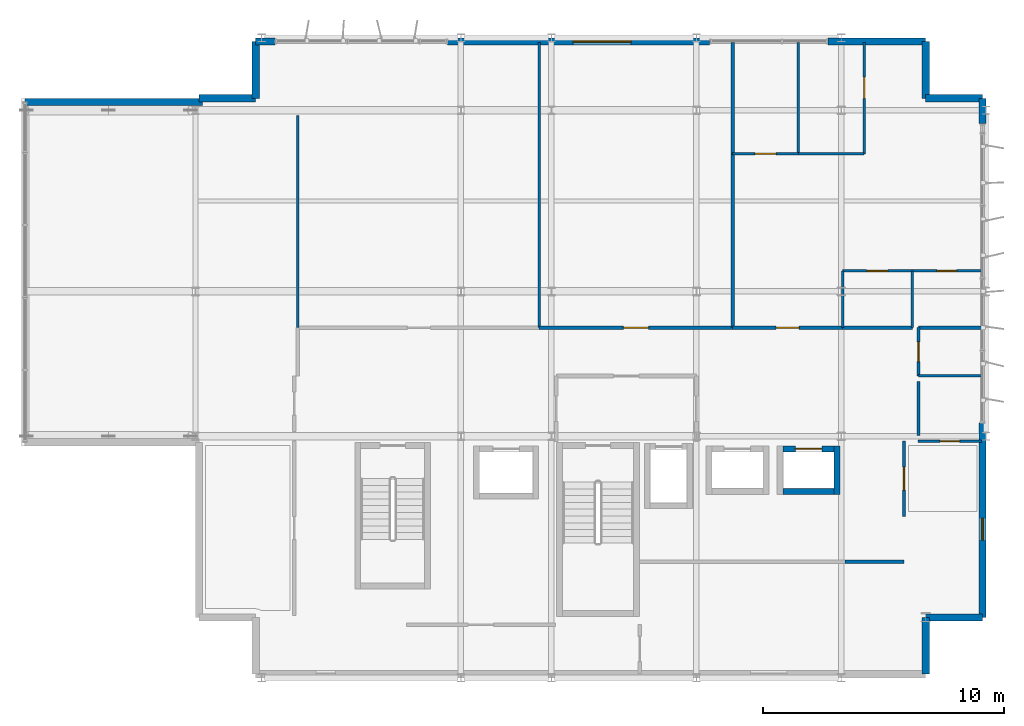
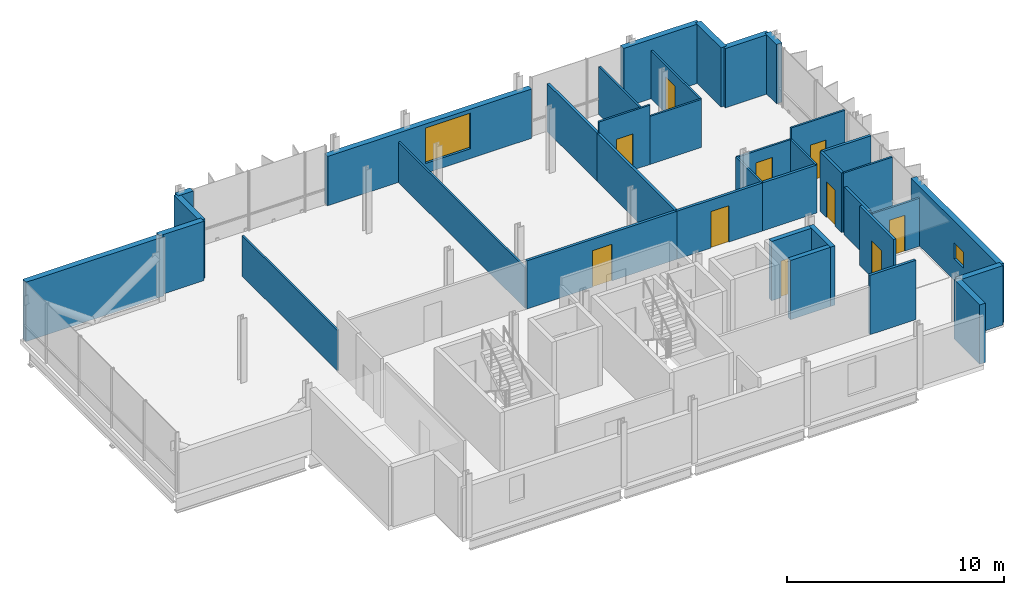
# One storey, part 15 of 18: 37 walls, 10 doors, 2 windows, 12 openings.
"""IFC4 building model written with IfcOpenShell, lengths in metres."""

import ifcopenshell
import ifcopenshell.guid

model = None  # the IFC model being written
_history = None  # IfcOwnerHistory: only IFC2X3 demands one
_inside = {}  # id of a spatial element -> (the spatial element, [elements in it])
_under = {}  # id of a project, library or spatial element -> (it, [spatial elements below it])
_declared = {}  # id of a project -> (the project, [libraries it declares])
_typed = {}  # id of a type object -> (the type object, [elements of that type])
_made_of = {}  # id of a material, layer set ... -> (it, [elements and type objects made of it])


def new_model(schema):
    """Start an empty IFC model of exactly this schema.

    Asked for "IFC4X3", IfcOpenShell would pick the latest addendum, in which some entities
    have other attributes; the version numbers below select the first issue.
    IFC2X3 requires an IfcOwnerHistory on every rooted entity: one is made here for all.
    """
    global model, _history
    if schema == "IFC4X3":
        model = ifcopenshell.file(schema_version=(4, 3, 0, 0))
    else:
        model = ifcopenshell.file(schema=schema)
    _inside.clear()
    _under.clear()
    _declared.clear()
    _typed.clear()
    _made_of.clear()
    _history = None
    if model.schema == "IFC2X3":
        org = make("IfcOrganization", Name="unknown")
        user = make(
            "IfcPersonAndOrganization",
            ThePerson=make("IfcPerson", FamilyName="unknown"),
            TheOrganization=org,
        )
        app = make(
            "IfcApplication",
            ApplicationDeveloper=org,
            Version="unknown",
            ApplicationFullName="unknown",
            ApplicationIdentifier="unknown",
        )
        _history = make(
            "IfcOwnerHistory",
            OwningUser=user,
            OwningApplication=app,
            ChangeAction="ADDED",
            CreationDate=0,
        )
    return model


def make(cls, **values):
    """One entity of the class cls with the attributes given. An attribute that is None is left unset."""
    return model.create_entity(
        cls, **{name: value for name, value in values.items() if value is not None}
    )


def rooted(cls, **values):
    """An entity with a GlobalId (a new one), such as an element, a storey or a relation."""
    return make(cls, GlobalId=ifcopenshell.guid.new(), OwnerHistory=_history, **values)


def si_unit(unit_type, name, prefix=None):
    """IfcSIUnit, for example si_unit("LENGTHUNIT", "METRE", prefix="MILLI")."""
    return make("IfcSIUnit", UnitType=unit_type, Prefix=prefix, Name=name)


def assignment(units):
    """IfcUnitAssignment: the units of a project."""
    return None if units is None else make("IfcUnitAssignment", Units=units)


def point(xyz):
    """IfcCartesianPoint."""
    return None if xyz is None else make("IfcCartesianPoint", Coordinates=xyz)


def direction(xyz):
    """IfcDirection."""
    return None if xyz is None else make("IfcDirection", DirectionRatios=xyz)


def frame(location, z_axis=None, x_axis=None):
    """IfcAxis2Placement3D, a coordinate frame: its origin and axes. An axis left out is left unset."""
    return make(
        "IfcAxis2Placement3D",
        Location=point(location),
        Axis=direction(z_axis),
        RefDirection=direction(x_axis),
    )


def frame_2d(location, x_axis=None):
    """IfcAxis2Placement2D, a coordinate frame in the plane: its origin and x axis."""
    return make(
        "IfcAxis2Placement2D", Location=point(location), RefDirection=direction(x_axis)
    )


def origin():
    """The frame at (0, 0, 0) with its axes left unset."""
    return frame((0.0, 0.0, 0.0))


def place(relative_to, where):
    """IfcLocalPlacement: puts the frame where relative to a parent placement (None: the world)."""
    return make(
        "IfcLocalPlacement", PlacementRelTo=relative_to, RelativePlacement=where
    )


def context(
    kind, dimensions, precision=None, world=None, true_north=None, identifier=None
):
    """IfcGeometricRepresentationContext, for example the 3D "Model" context."""
    return make(
        "IfcGeometricRepresentationContext",
        ContextIdentifier=identifier,
        ContextType=kind,
        CoordinateSpaceDimension=dimensions,
        Precision=precision,
        WorldCoordinateSystem=world,
        TrueNorth=true_north,
    )


def subcontext(parent, identifier, kind, view, scale=None):
    """IfcGeometricRepresentationSubContext, for example "Body" below "Model"."""
    return make(
        "IfcGeometricRepresentationSubContext",
        ContextIdentifier=identifier,
        ContextType=kind,
        ParentContext=parent,
        TargetScale=scale,
        TargetView=view,
    )


def project(units=None, contexts=None):
    """IfcProject with its units and contexts."""
    return rooted(
        "IfcProject",
        Name="project",
        RepresentationContexts=contexts,
        UnitsInContext=assignment(units),
    )


def spatial(cls, under=None, at=None, **own):
    """A site, building, storey or space (cls), placed at a placement, below another one or the project."""
    s = rooted(cls, ObjectPlacement=at, **own)
    if under is not None:
        _under.setdefault(under.id(), (under, []))[1].append(s)
    return s


def profile(cls, at=None, kind="AREA", **sizes):
    """A parametric profile (cls). Its sizes go by their IFC names, for example OverallWidth=200.0."""
    return make(cls, ProfileType=kind, Position=at, **sizes)


def rectangle(**sizes):
    """IfcRectangleProfileDef."""
    return profile("IfcRectangleProfileDef", **sizes)


def extrude(swept, where, along, depth):
    """IfcExtrudedAreaSolid: the profile swept, set in the frame where, extruded along a direction by depth."""
    return make(
        "IfcExtrudedAreaSolid",
        SweptArea=swept,
        Position=where,
        ExtrudedDirection=direction(along),
        Depth=depth,
    )


def shape(context_of_items, identifier, shape_type, items):
    """IfcShapeRepresentation: the items that make up one representation, for example the "Body"."""
    return make(
        "IfcShapeRepresentation",
        ContextOfItems=context_of_items,
        RepresentationIdentifier=identifier,
        RepresentationType=shape_type,
        Items=items,
    )


def material(Name=None, Category=None):
    """IfcMaterial."""
    return make("IfcMaterial", Name=Name, Category=Category)


def layer(
    of_material, thickness, ventilated=None, Name=None, Category=None, Priority=None
):
    """IfcMaterialLayer: one layer of a wall or slab, of a material (None: an air gap)."""
    return make(
        "IfcMaterialLayer",
        Material=of_material,
        LayerThickness=thickness,
        IsVentilated=ventilated,
        Name=Name,
        Category=Category,
        Priority=Priority,
    )


def layer_set(layers, Name=None):
    """IfcMaterialLayerSet."""
    return make("IfcMaterialLayerSet", MaterialLayers=layers, LayerSetName=Name)


def made_of(thing, what):
    """Note that an element or type object is made of a material, layer set ...; save() writes the relation."""
    if what is not None:
        _made_of.setdefault(what.id(), (what, []))[1].append(thing)
    return thing


def type_object(cls, material=None, **own):
    """A type object (cls), such as IfcWallType, which elements share."""
    return made_of(rooted(cls, **own), material)


def element(
    cls,
    number,
    at=None,
    inside=None,
    cuts=None,
    type_object=None,
    material=None,
    context=None,
    identifier="Body",
    shape_type=None,
    held_by="IfcProductDefinitionShape",
    body=None,
    shapes=None,
    **own,
):
    """One element of the class cls, such as IfcWall. Its Tag is "e" and its number.

    at: its placement. inside: the storey or other place that contains it. cuts: it is an
    opening in that element (IfcRelVoidsElement). A single representation is given by context,
    identifier, shape_type and body (its items); several are given by shapes. held_by: the class
    of the entity that holds the representations. save() writes the other relations.
    """
    e = rooted(cls, Tag="e%d" % number, ObjectPlacement=at, **own)
    if body is not None:
        shapes = [shape(context, identifier, shape_type, body)]
    if shapes is not None:
        e.Representation = make(held_by, Representations=shapes)
    if inside is not None:
        _inside.setdefault(inside.id(), (inside, []))[1].append(e)
    if cuts is not None:
        rooted(
            "IfcRelVoidsElement", RelatingBuildingElement=cuts, RelatedOpeningElement=e
        )
    if type_object is not None:
        _typed.setdefault(type_object.id(), (type_object, []))[1].append(e)
    return made_of(e, material)


def fill(opening, filler):
    """IfcRelFillsElement: the door or window that sits in an opening."""
    return rooted(
        "IfcRelFillsElement",
        RelatingOpeningElement=opening,
        RelatedBuildingElement=filler,
    )


def aggregate(whole, parts):
    """IfcRelAggregates: a whole, such as a stair, and the parts it consists of."""
    return rooted("IfcRelAggregates", RelatingObject=whole, RelatedObjects=parts)


def save(model, path):
    """Write the relations noted so far, then the file.

    IfcRelAggregates (storeys below a building ...), IfcRelContainedInSpatialStructure (elements
    in a storey), IfcRelDefinesByType, IfcRelAssociatesMaterial and IfcRelDeclares: one each for
    every whole, place, type object, material and project.
    """
    for whole, parts in _under.values():
        aggregate(whole, parts)
    for where, things in _inside.values():
        rooted(
            "IfcRelContainedInSpatialStructure",
            RelatedElements=things,
            RelatingStructure=where,
        )
    for kind, things in _typed.values():
        rooted("IfcRelDefinesByType", RelatedObjects=things, RelatingType=kind)
    for what, things in _made_of.values():
        rooted("IfcRelAssociatesMaterial", RelatedObjects=things, RelatingMaterial=what)
    for by, libraries in _declared.values():
        rooted("IfcRelDeclares", RelatingContext=by, RelatedDefinitions=libraries)
    model.write(path)


model = new_model("IFC4")

# Units and contexts
model_context = context("Model", 3, precision=1e-05, world=origin(), true_north=direction((0.0, 1.0)))
body_context = subcontext(model_context, "Body", "Model", "MODEL_VIEW")
ifc_project = project(units=[si_unit("LENGTHUNIT", "METRE"), si_unit("AREAUNIT", "SQUARE_METRE"), si_unit("VOLUMEUNIT", "CUBIC_METRE"), si_unit("PLANEANGLEUNIT", "RADIAN"), si_unit("MASSUNIT", "GRAM", prefix="KILO")], contexts=[model_context])

# Site, building, storey
site_placement = place(None, origin())
site = spatial("IfcSite", under=ifc_project, at=site_placement, CompositionType="ELEMENT")
building_placement = place(site_placement, origin())
building = spatial("IfcBuilding", under=site, at=building_placement, Name="Brevholm Reach", CompositionType="ELEMENT")
storey_placement = place(building_placement, frame((0.0, 0.0, 243.64990234375)))
storey = spatial("IfcBuildingStorey", under=building, at=storey_placement, Name="L74", CompositionType="ELEMENT", Elevation=243.64990234375)

# Walls
ifc_material_1 = material(Name="Concrete C45/55", Category="concrete")
ifc_layer_1 = layer(ifc_material_1, 0.239990234375)
ifc_layer_set_1 = layer_set([ifc_layer_1], Name="Concrete C45/55")
wall_type_1 = type_object("IfcWallType", Name="WAL-COR-240", PredefinedType="SHEAR", material=ifc_layer_set_1)
wall_1_placement = place(storey_placement, frame((53.830078125, 7.60009765625, 0.0), z_axis=(0.0, 0.0, 1.0), x_axis=(0.0, 1.0, 0.0)))
element("IfcWall", 1, at=wall_1_placement, inside=storey, type_object=wall_type_1, Name="L74 Lift PL-H2 Shaft Wall E", PredefinedType="SHEAR", context=body_context, shape_type="SweptSolid", body=[
    extrude(rectangle(XDim=2.0, YDim=0.239990234375, at=frame_2d((1.0, 0.0))), origin(), (0.0, 0.0, 1.0), 3.340087890625),
])
wall_2_placement = place(storey_placement, frame((51.590087890625, 7.719970703125, 0.0), z_axis=(0.0, 0.0, 1.0), x_axis=(1.0, 0.0, 0.0)))
element("IfcWall", 2, at=wall_2_placement, inside=storey, type_object=wall_type_1, Name="L74 Lift PL-H2 Shaft Wall S", PredefinedType="SHEAR", context=body_context, shape_type="SweptSolid", body=[
    extrude(rectangle(XDim=2.119873046875, YDim=0.239990234375, at=frame_2d((1.06005859375, 0.0))), origin(), (0.0, 0.0, 1.0), 3.340087890625),
])

# Wall, opening, door
wall_3_placement = place(storey_placement, frame((51.590087890625, 9.47998046875, 0.0), z_axis=(0.0, 0.0, 1.0), x_axis=(1.0, 0.0, 0.0)))
wall_3 = element("IfcWall", 3, at=wall_3_placement, inside=storey, type_object=wall_type_1, Name="L74 Lift PL-H2 Shaft Wall N", PredefinedType="SHEAR", context=body_context, shape_type="SweptSolid", body=[
    extrude(rectangle(XDim=2.119873046875, YDim=0.239990234375, at=frame_2d((1.06005859375, 0.0))), origin(), (0.0, 0.0, 1.0), 3.340087890625),
])
opening_1_placement = place(wall_3_placement, frame((0.510009765625, 0.0, 0.0)))
opening_1 = element("IfcOpeningElement", 4, at=opening_1_placement, cuts=wall_3, Name="Opening LD-PL-H2", PredefinedType="OPENING", context=body_context, shape_type="SweptSolid", body=[
    extrude(rectangle(XDim=1.10009765625, YDim=2.06005859375, at=frame_2d((0.550048828125, 1.030029296875))), frame((0.0, 0.1298828125, 0.0), z_axis=(0.0, -1.0, 0.0), x_axis=(1.0, 0.0, 0.0)), (0.0, 0.0, 1.0), 0.260009765625),
])
ifc_material_2 = material(Name="Brushed Stainless Steel Fire-Rated Sliding Lift Door", Category="steel")
door_type_1 = type_object("IfcDoorType", Name="DOR-LFT-1100", OperationType="NOTDEFINED", PredefinedType="DOOR", material=ifc_material_2)
door_1_placement = place(opening_1_placement, origin())
door_1 = element("IfcDoor", 5, at=door_1_placement, inside=storey, type_object=door_type_1, Name="L74 Lift PL-H2 Sliding Landing Door", OperationType="SLIDING_TO_RIGHT", OverallHeight=2.06005859375, OverallWidth=1.10009765625, PredefinedType="DOOR", context=body_context, shape_type="SweptSolid", body=[
    extrude(rectangle(XDim=1.10009765625, YDim=2.06005859375, at=frame_2d((0.550048828125, 1.030029296875))), frame((0.0, 0.02490234375, 0.0), z_axis=(0.0, -1.0, 0.0), x_axis=(1.0, 0.0, 0.0)), (0.0, 0.0, 1.0), 0.050048828125),
])
fill(opening_1, door_1)

# Walls
ifc_material_3 = material(Name="Concrete C40/50", Category="concrete")
ifc_layer_2 = layer(ifc_material_3, 0.300048828125)
ifc_layer_set_2 = layer_set([ifc_layer_2], Name="Concrete C40/50")
wall_type_2 = type_object("IfcWallType", Name="WAL-EXT-300", PredefinedType="STANDARD", material=ifc_layer_set_2)
for number, where, z_axis, x_axis, name in (
    (6, (57.5, 0.14990234375, 0.0), (0.0, 0.0, 1.0), (0.0, 1.0, 0.0), "L74 Facade Wall WAL-L74-CSE1"),
    (7, (57.5, 2.5, 0.0), (0.0, 0.0, 1.0), (1.0, 0.0, 0.0), "L74 Facade Wall WAL-L74-CSE2"),
    (8, (59.85009765625, 24.0, 0.0), (0.0, 0.0, 1.0), (-1.0, 0.0, 0.0), "L74 Facade Wall WAL-L74-CNE1"),
    (9, (57.5, 24.0, 0.0), (0.0, 0.0, 1.0), (0.0, 1.0, 0.0), "L74 Facade Wall WAL-L74-CNE2"),
    (10, (29.75, 26.35009765625, 0.0), (0.0, 0.0, 1.0), (0.0, -1.0, 0.0), "L74 Facade Wall WAL-L74-CNW1"),
    (11, (29.75, 24.0, 0.0), (0.0, 0.0, 1.0), (-1.0, 0.0, 0.0), "L74 Facade Wall WAL-L74-CNW2"),
):
    element("IfcWall", number, at=place(storey_placement, frame(where, z_axis=z_axis, x_axis=x_axis)), inside=storey, type_object=wall_type_2, Name=name, PredefinedType="STANDARD", context=body_context, shape_type="SweptSolid", body=[
        extrude(rectangle(XDim=2.35009765625, YDim=0.300048828125, at=frame_2d((1.175048828125, 0.0))), origin(), (0.0, 0.0, 1.0), 3.340087890625),
    ])

# Wall, opening, window
wall_4_placement = place(storey_placement, frame((59.85009765625, 2.5, 0.0), z_axis=(0.0, 0.0, 1.0), x_axis=(0.0, 1.0, 0.0)))
wall_4 = element("IfcWall", 12, at=wall_4_placement, inside=storey, type_object=wall_type_2, Name="L74 Facade Wall WAL-L74-E-S", PredefinedType="STANDARD", context=body_context, shape_type="SweptSolid", body=[
    extrude(rectangle(XDim=8.050048828125, YDim=0.300048828125, at=frame_2d((4.02490234375, 0.0))), origin(), (0.0, 0.0, 1.0), 3.340087890625),
])
opening_2_placement = place(wall_4_placement, frame((3.199951171875, 0.0, 1.199951171875)))
opening_2 = element("IfcOpeningElement", 13, at=opening_2_placement, cuts=wall_4, Name="Opening WN-09", PredefinedType="OPENING", context=body_context, shape_type="SweptSolid", body=[
    extrude(rectangle(XDim=0.89990234375, YDim=0.89990234375, at=frame_2d((0.449951171875, 0.449951171875))), frame((0.0, 0.159912109375, 0.0), z_axis=(0.0, -1.0, 0.0), x_axis=(1.0, 0.0, 0.0)), (0.0, 0.0, 1.0), 0.320068359375),
])
ifc_material_4 = material(Name="Dark Anodised Aluminium and Solar-Control IGU Glass", Category="aluminium")
window_type_1 = type_object("IfcWindowType", Name="WIN-POR-0900", PartitioningType="SINGLE_PANEL", PredefinedType="WINDOW", material=ifc_material_4)
window_1_placement = place(opening_2_placement, origin())
window_1 = element("IfcWindow", 14, at=window_1_placement, inside=storey, type_object=window_type_1, Name="L74 Window WIN-L74-ES-1", OverallHeight=0.89990234375, OverallWidth=0.89990234375, PartitioningType="SINGLE_PANEL", PredefinedType="WINDOW", context=body_context, shape_type="SweptSolid", body=[
    extrude(rectangle(XDim=0.89990234375, YDim=0.89990234375, at=frame_2d((0.449951171875, 0.449951171875))), frame((0.0, 0.030029296875, 0.0), z_axis=(0.0, -1.0, 0.0), x_axis=(1.0, 0.0, 0.0)), (0.0, 0.0, 1.0), 0.06005859375),
])
fill(opening_2, window_1)

# Walls
wall_5_placement = place(storey_placement, frame((59.85009765625, 22.949951171875, 0.0), z_axis=(0.0, 0.0, 1.0), x_axis=(0.0, 1.0, 0.0)))
element("IfcWall", 15, at=wall_5_placement, inside=storey, type_object=wall_type_2, Name="L74 Facade Wall WAL-L74-E-TOP", PredefinedType="STANDARD", context=body_context, shape_type="SweptSolid", body=[
    extrude(rectangle(XDim=1.050048828125, YDim=0.300048828125, at=frame_2d((0.52490234375, 0.0))), origin(), (0.0, 0.0, 1.0), 3.340087890625),
])
wall_6_placement = place(storey_placement, frame((29.75, 26.35009765625, 0.0), z_axis=(0.0, 0.0, 1.0), x_axis=(1.0, 0.0, 0.0)))
element("IfcWall", 16, at=wall_6_placement, inside=storey, type_object=wall_type_2, Name="L74 Facade Wall WAL-L74-NP-1", PredefinedType="STANDARD", context=body_context, shape_type="SweptSolid", body=[
    extrude(rectangle(XDim=0.800048828125, YDim=0.300048828125, at=frame_2d((0.39990234375, 0.0))), origin(), (0.0, 0.0, 1.0), 3.340087890625),
])

# Wall, opening, window
wall_7_placement = place(storey_placement, frame((37.699951171875, 26.35009765625, 0.0), z_axis=(0.0, 0.0, 1.0), x_axis=(1.0, 0.0, 0.0)))
wall_7 = element("IfcWall", 17, at=wall_7_placement, inside=storey, type_object=wall_type_2, Name="L74 Facade Wall WAL-L74-NP-2", PredefinedType="STANDARD", context=body_context, shape_type="SweptSolid", body=[
    extrude(rectangle(XDim=10.85009765625, YDim=0.300048828125, at=frame_2d((5.425048828125, 0.0))), origin(), (0.0, 0.0, 1.0), 2.775634765625),
])
opening_3_placement = place(wall_7_placement, frame((5.199951171875, 0.0, 0.554931640625)))
opening_3 = element("IfcOpeningElement", 18, at=opening_3_placement, cuts=wall_7, Name="Opening WN-12", PredefinedType="OPENING", context=body_context, shape_type="SweptSolid", body=[
    extrude(rectangle(XDim=2.39990234375, YDim=2.0, at=frame_2d((1.199951171875, 1.0))), frame((0.0, 0.159912109375, 0.0), z_axis=(0.0, -1.0, 0.0), x_axis=(1.0, 0.0, 0.0)), (0.0, 0.0, 1.0), 0.320068359375),
])
ifc_material_5 = material(Name="Dark Anodised Aluminium and Solar-Control IGU Glass", Category="aluminium")
window_type_2 = type_object("IfcWindowType", Name="WIN-OBS-2400", PartitioningType="SINGLE_PANEL", PredefinedType="WINDOW", material=ifc_material_5)
window_2_placement = place(opening_3_placement, origin())
window_2 = element("IfcWindow", 19, at=window_2_placement, inside=storey, type_object=window_type_2, Name="L74 Window WIN-L74-NP-2", OverallHeight=2.0, OverallWidth=2.39990234375, PartitioningType="SINGLE_PANEL", PredefinedType="WINDOW", context=body_context, shape_type="SweptSolid", body=[
    extrude(rectangle(XDim=2.39990234375, YDim=2.0, at=frame_2d((1.199951171875, 1.0))), frame((0.0, 0.030029296875, 0.0), z_axis=(0.0, -1.0, 0.0), x_axis=(1.0, 0.0, 0.0)), (0.0, 0.0, 1.0), 0.06005859375),
])
fill(opening_3, window_2)

# Walls
wall_8_placement = place(storey_placement, frame((53.449951171875, 26.35009765625, 0.0), z_axis=(0.0, 0.0, 1.0), x_axis=(1.0, 0.0, 0.0)))
element("IfcWall", 20, at=wall_8_placement, inside=storey, type_object=wall_type_2, Name="L74 Facade Wall WAL-L74-NP-4", PredefinedType="STANDARD", context=body_context, shape_type="SweptSolid", body=[
    extrude(rectangle(XDim=4.050048828125, YDim=0.300048828125, at=frame_2d((2.02490234375, 0.0))), origin(), (0.0, 0.0, 1.0), 3.340087890625),
])
wall_9_placement = place(storey_placement, frame((20.199951171875, 23.85009765625, 0.0), z_axis=(0.0, 0.0, 1.0), x_axis=(1.0, 0.0, 0.0)))
element("IfcWall", 21, at=wall_9_placement, inside=storey, type_object=wall_type_2, Name="L74 Facade Wall WAL-L74-CANT-N", PredefinedType="STANDARD", context=body_context, shape_type="SweptSolid", body=[
    extrude(rectangle(XDim=7.35009765625, YDim=0.300048828125, at=frame_2d((3.675048828125, 0.0))), origin(), (0.0, 0.0, 1.0), 3.340087890625),
])

# Wall, opening, door
ifc_material_6 = material(Name="Moisture-Resistant Acoustic Gypsum Stud Partition 100 mm", Category="gypsum")
ifc_layer_3 = layer(ifc_material_6, 0.10009765625)
ifc_layer_set_3 = layer_set([ifc_layer_3], Name="Moisture-Resistant Acoustic Gypsum Stud Partition 100 mm")
wall_type_3 = type_object("IfcWallType", Name="WAL-PRT-100", PredefinedType="PARTITIONING", material=ifc_layer_set_3)
wall_10_placement = place(storey_placement, frame((57.188720703125, 9.800048828125, 0.0), z_axis=(0.0, 0.0, 1.0), x_axis=(1.0, 0.0, 0.0)))
wall_10 = element("IfcWall", 22, at=wall_10_placement, inside=storey, type_object=wall_type_3, Name="L74 Internal Partition 011", PredefinedType="PARTITIONING", context=body_context, shape_type="SweptSolid", body=[
    extrude(rectangle(XDim=2.611328125, YDim=0.10009765625, at=frame_2d((1.3056640625, 0.0))), origin(), (0.0, 0.0, 1.0), 2.702880859375),
])
opening_4_placement = place(wall_10_placement, frame((0.895751953125, 0.0, 0.0)))
opening_4 = element("IfcOpeningElement", 23, at=opening_4_placement, cuts=wall_10, Name="Opening ID-03", PredefinedType="OPENING", context=body_context, shape_type="SweptSolid", body=[
    extrude(rectangle(XDim=0.820068359375, YDim=2.02001953125, at=frame_2d((0.41015625, 1.010009765625))), frame((0.0, 0.06005859375, 0.0), z_axis=(0.0, -1.0, 0.0), x_axis=(1.0, 0.0, 0.0)), (0.0, 0.0, 1.0), 0.1201171875),
])
ifc_material_7 = material(Name="Moisture-Resistant Painted Timber Internal Bathroom Door", Category="wood")
door_type_2 = type_object("IfcDoorType", Name="DOR-BATH-820", OperationType="NOTDEFINED", PredefinedType="DOOR", material=ifc_material_7)
door_2_placement = place(opening_4_placement, origin())
door_2 = element("IfcDoor", 24, at=door_2_placement, inside=storey, type_object=door_type_2, Name="L74 Access Door 017", OperationType="SINGLE_SWING_RIGHT", OverallHeight=2.02001953125, OverallWidth=0.820068359375, PredefinedType="DOOR", context=body_context, shape_type="SweptSolid", body=[
    extrude(rectangle(XDim=0.820068359375, YDim=2.02001953125, at=frame_2d((0.41015625, 1.010009765625))), frame((0.0, 0.02490234375, 0.0), z_axis=(0.0, -1.0, 0.0), x_axis=(1.0, 0.0, 0.0)), (0.0, 0.0, 1.0), 0.050048828125),
])
fill(opening_4, door_2)

# Walls
wall_11_placement = place(storey_placement, frame((57.2041015625, 12.5, 0.0), z_axis=(0.0, 0.0, 1.0), x_axis=(1.0, 0.0, 0.0)))
element("IfcWall", 25, at=wall_11_placement, inside=storey, type_object=wall_type_3, Name="L74 Internal Partition 018", PredefinedType="PARTITIONING", context=body_context, shape_type="SweptSolid", body=[
    extrude(rectangle(XDim=2.595947265625, YDim=0.10009765625, at=frame_2d((1.2978515625, 0.0))), origin(), (0.0, 0.0, 1.0), 3.340087890625),
])
wall_12_placement = place(storey_placement, frame((31.5, 14.50390625, 0.0), z_axis=(0.0, 0.0, 1.0), x_axis=(0.0, 1.0, 0.0)))
element("IfcWall", 26, at=wall_12_placement, inside=storey, type_object=wall_type_3, Name="L74 Internal Partition 020", PredefinedType="PARTITIONING", context=body_context, shape_type="SweptSolid", body=[
    extrude(rectangle(XDim=8.776123046875, YDim=0.10009765625, at=frame_2d((4.38818359375, 0.0))), origin(), (0.0, 0.0, 1.0), 2.27880859375),
])
wall_13_placement = place(storey_placement, frame((41.5, 14.50390625, 0.0), z_axis=(0.0, 0.0, 1.0), x_axis=(0.0, 1.0, 0.0)))
element("IfcWall", 27, at=wall_13_placement, inside=storey, type_object=wall_type_3, Name="L74 Internal Partition 021", PredefinedType="PARTITIONING", context=body_context, shape_type="SweptSolid", body=[
    extrude(rectangle(XDim=11.796142578125, YDim=0.10009765625, at=frame_2d((5.89794921875, 0.0))), origin(), (0.0, 0.0, 1.0), 2.27880859375),
])
wall_14_placement = place(storey_placement, frame((56.93896484375, 14.50390625, 0.0), z_axis=(0.0, 0.0, 1.0), x_axis=(0.0, 1.0, 0.0)))
element("IfcWall", 28, at=wall_14_placement, inside=storey, type_object=wall_type_3, Name="L74 Internal Partition 024", PredefinedType="PARTITIONING", context=body_context, shape_type="SweptSolid", body=[
    extrude(rectangle(XDim=2.34619140625, YDim=0.10009765625, at=frame_2d((1.173095703125, 0.0))), origin(), (0.0, 0.0, 1.0), 2.702880859375),
])

# Wall, opening, door
wall_15_placement = place(storey_placement, frame((56.93896484375, 16.85009765625, 0.0), z_axis=(0.0, 0.0, 1.0), x_axis=(1.0, 0.0, 0.0)))
wall_15 = element("IfcWall", 29, at=wall_15_placement, inside=storey, type_object=wall_type_3, Name="L74 Internal Partition 025", PredefinedType="PARTITIONING", context=body_context, shape_type="SweptSolid", body=[
    extrude(rectangle(XDim=2.861083984375, YDim=0.10009765625, at=frame_2d((1.4306640625, 0.0))), origin(), (0.0, 0.0, 1.0), 3.340087890625),
])
opening_5_placement = place(wall_15_placement, frame((1.0205078125, 0.0, 0.0)))
opening_5 = element("IfcOpeningElement", 30, at=opening_5_placement, cuts=wall_15, Name="Opening ID-03", PredefinedType="OPENING", context=body_context, shape_type="SweptSolid", body=[
    extrude(rectangle(XDim=0.820068359375, YDim=2.02001953125, at=frame_2d((0.41015625, 1.010009765625))), frame((0.0, 0.06005859375, 0.0), z_axis=(0.0, -1.0, 0.0), x_axis=(1.0, 0.0, 0.0)), (0.0, 0.0, 1.0), 0.1201171875),
])
door_3_placement = place(opening_5_placement, origin())
door_3 = element("IfcDoor", 31, at=door_3_placement, inside=storey, type_object=door_type_2, Name="L74 Internal Door 013", OperationType="SINGLE_SWING_RIGHT", OverallHeight=2.02001953125, OverallWidth=0.820068359375, PredefinedType="DOOR", context=body_context, shape_type="SweptSolid", body=[
    extrude(rectangle(XDim=0.820068359375, YDim=2.02001953125, at=frame_2d((0.41015625, 1.010009765625))), frame((0.0, 0.02490234375, 0.0), z_axis=(0.0, -1.0, 0.0), x_axis=(1.0, 0.0, 0.0)), (0.0, 0.0, 1.0), 0.050048828125),
])
fill(opening_5, door_3)

wall_16_placement = place(storey_placement, frame((54.054931640625, 16.85009765625, 0.0), z_axis=(0.0, 0.0, 1.0), x_axis=(1.0, 0.0, 0.0)))
wall_16 = element("IfcWall", 32, at=wall_16_placement, inside=storey, type_object=wall_type_3, Name="L74 Internal Partition 026", PredefinedType="PARTITIONING", context=body_context, shape_type="SweptSolid", body=[
    extrude(rectangle(XDim=2.880126953125, YDim=0.10009765625, at=frame_2d((1.43994140625, 0.0))), origin(), (0.0, 0.0, 1.0), 2.702880859375),
])
opening_6_placement = place(wall_16_placement, frame((1.0, 0.0, 0.0)))
opening_6 = element("IfcOpeningElement", 33, at=opening_6_placement, cuts=wall_16, Name="Opening ID-01", PredefinedType="OPENING", context=body_context, shape_type="SweptSolid", body=[
    extrude(rectangle(XDim=0.8798828125, YDim=2.0400390625, at=frame_2d((0.43994140625, 1.02001953125))), frame((0.0, 0.06005859375, 0.0), z_axis=(0.0, -1.0, 0.0), x_axis=(1.0, 0.0, 0.0)), (0.0, 0.0, 1.0), 0.1201171875),
])
ifc_material_8 = material(Name="Lacquered Ash Solid-Core Acoustic Internal Door", Category="timber")
door_type_3 = type_object("IfcDoorType", Name="DOR-INT-880", OperationType="NOTDEFINED", PredefinedType="DOOR", material=ifc_material_8)
door_4_placement = place(opening_6_placement, origin())
door_4 = element("IfcDoor", 34, at=door_4_placement, inside=storey, type_object=door_type_3, Name="L74 Internal Door 014", OperationType="SINGLE_SWING_LEFT", OverallHeight=2.0400390625, OverallWidth=0.8798828125, PredefinedType="DOOR", context=body_context, shape_type="SweptSolid", body=[
    extrude(rectangle(XDim=0.8798828125, YDim=2.0400390625, at=frame_2d((0.43994140625, 1.02001953125))), frame((0.0, 0.02490234375, 0.0), z_axis=(0.0, -1.0, 0.0), x_axis=(1.0, 0.0, 0.0)), (0.0, 0.0, 1.0), 0.050048828125),
])
fill(opening_6, door_4)

# Walls
wall_17_placement = place(storey_placement, frame((54.054931640625, 14.50390625, 0.0), z_axis=(0.0, 0.0, 1.0), x_axis=(0.0, 1.0, 0.0)))
element("IfcWall", 35, at=wall_17_placement, inside=storey, type_object=wall_type_3, Name="L74 Internal Partition 027", PredefinedType="PARTITIONING", context=body_context, shape_type="SweptSolid", body=[
    extrude(rectangle(XDim=2.34619140625, YDim=0.10009765625, at=frame_2d((1.173095703125, 0.0))), origin(), (0.0, 0.0, 1.0), 2.702880859375),
])
wall_18_placement = place(storey_placement, frame((52.22509765625, 21.699951171875, 0.0), z_axis=(0.0, 0.0, 1.0), x_axis=(0.0, 1.0, 0.0)))
element("IfcWall", 36, at=wall_18_placement, inside=storey, type_object=wall_type_3, Name="L74 Internal Partition 028", PredefinedType="PARTITIONING", context=body_context, shape_type="SweptSolid", body=[
    extrude(rectangle(XDim=4.60009765625, YDim=0.10009765625, at=frame_2d((2.300048828125, 0.0))), origin(), (0.0, 0.0, 1.0), 2.702880859375),
])

# Wall, opening, door
wall_19_placement = place(storey_placement, frame((49.50390625, 21.699951171875, 0.0), z_axis=(0.0, 0.0, 1.0), x_axis=(1.0, 0.0, 0.0)))
wall_19 = element("IfcWall", 37, at=wall_19_placement, inside=storey, type_object=wall_type_3, Name="L74 Internal Partition 029", PredefinedType="PARTITIONING", context=body_context, shape_type="SweptSolid", body=[
    extrude(rectangle(XDim=2.72119140625, YDim=0.10009765625, at=frame_2d((1.360595703125, 0.0))), origin(), (0.0, 0.0, 1.0), 3.340087890625),
])
opening_7_placement = place(wall_19_placement, frame((0.92041015625, 0.0, 0.0)))
opening_7 = element("IfcOpeningElement", 38, at=opening_7_placement, cuts=wall_19, Name="Opening ID-01", PredefinedType="OPENING", context=body_context, shape_type="SweptSolid", body=[
    extrude(rectangle(XDim=0.8798828125, YDim=2.0400390625, at=frame_2d((0.43994140625, 1.02001953125))), frame((0.0, 0.06005859375, 0.0), z_axis=(0.0, -1.0, 0.0), x_axis=(1.0, 0.0, 0.0)), (0.0, 0.0, 1.0), 0.1201171875),
])
door_5_placement = place(opening_7_placement, origin())
door_5 = element("IfcDoor", 39, at=door_5_placement, inside=storey, type_object=door_type_3, Name="L74 Internal Door 015", OperationType="SINGLE_SWING_RIGHT", OverallHeight=2.0400390625, OverallWidth=0.8798828125, PredefinedType="DOOR", context=body_context, shape_type="SweptSolid", body=[
    extrude(rectangle(XDim=0.8798828125, YDim=2.0400390625, at=frame_2d((0.43994140625, 1.02001953125))), frame((0.0, 0.02490234375, 0.0), z_axis=(0.0, -1.0, 0.0), x_axis=(1.0, 0.0, 0.0)), (0.0, 0.0, 1.0), 0.050048828125),
])
fill(opening_7, door_5)

# Wall
wall_20_placement = place(storey_placement, frame((52.22900390625, 21.699951171875, 0.0), z_axis=(0.0, 0.0, 1.0), x_axis=(1.0, 0.0, 0.0)))
element("IfcWall", 40, at=wall_20_placement, inside=storey, type_object=wall_type_3, Name="L74 Internal Partition 030", PredefinedType="PARTITIONING", context=body_context, shape_type="SweptSolid", body=[
    extrude(rectangle(XDim=2.720947265625, YDim=0.10009765625, at=frame_2d((1.3603515625, 0.0))), origin(), (0.0, 0.0, 1.0), 2.702880859375),
])

# Wall, opening, door
wall_21_placement = place(storey_placement, frame((54.949951171875, 21.699951171875, 0.0), z_axis=(0.0, 0.0, 1.0), x_axis=(0.0, 1.0, 0.0)))
wall_21 = element("IfcWall", 41, at=wall_21_placement, inside=storey, type_object=wall_type_3, Name="L74 Internal Partition 031", PredefinedType="PARTITIONING", context=body_context, shape_type="SweptSolid", body=[
    extrude(rectangle(XDim=4.60009765625, YDim=0.10009765625, at=frame_2d((2.300048828125, 0.0))), origin(), (0.0, 0.0, 1.0), 2.702880859375),
])
opening_8_placement = place(wall_21_placement, frame((2.300048828125, 0.0, 0.0)))
opening_8 = element("IfcOpeningElement", 42, at=opening_8_placement, cuts=wall_21, Name="Opening ID-01", PredefinedType="OPENING", context=body_context, shape_type="SweptSolid", body=[
    extrude(rectangle(XDim=0.8798828125, YDim=2.0400390625, at=frame_2d((0.43994140625, 1.02001953125))), frame((0.0, 0.06005859375, 0.0), z_axis=(0.0, -1.0, 0.0), x_axis=(1.0, 0.0, 0.0)), (0.0, 0.0, 1.0), 0.1201171875),
])
door_6_placement = place(opening_8_placement, origin())
door_6 = element("IfcDoor", 43, at=door_6_placement, inside=storey, type_object=door_type_3, Name="L74 Internal Door 016", OperationType="SINGLE_SWING_LEFT", OverallHeight=2.0400390625, OverallWidth=0.8798828125, PredefinedType="DOOR", context=body_context, shape_type="SweptSolid", body=[
    extrude(rectangle(XDim=0.8798828125, YDim=2.0400390625, at=frame_2d((0.43994140625, 1.02001953125))), frame((0.0, 0.02490234375, 0.0), z_axis=(0.0, -1.0, 0.0), x_axis=(1.0, 0.0, 0.0)), (0.0, 0.0, 1.0), 0.050048828125),
])
fill(opening_8, door_6)

# Wall
ifc_material_9 = material(Name="Twin-Stud Acoustic Fire-Rated Gypsum Partition 140 mm", Category="gypsum")
ifc_layer_4 = layer(ifc_material_9, 0.139892578125)
ifc_layer_set_4 = layer_set([ifc_layer_4], Name="Twin-Stud Acoustic Fire-Rated Gypsum Partition 140 mm")
wall_type_4 = type_object("IfcWallType", Name="WAL-PRT-140", PredefinedType="PARTITIONING", material=ifc_layer_set_4)
wall_22_placement = place(storey_placement, frame((54.154052734375, 4.800048828125, 0.0), z_axis=(0.0, 0.0, 1.0), x_axis=(1.0, 0.0, 0.0)))
element("IfcWall", 44, at=wall_22_placement, inside=storey, type_object=wall_type_4, Name="L74 Internal Partition 006", PredefinedType="PARTITIONING", context=body_context, shape_type="SweptSolid", body=[
    extrude(rectangle(XDim=2.446044921875, YDim=0.139892578125, at=frame_2d((1.22314453125, 0.0))), origin(), (0.0, 0.0, 1.0), 3.340087890625),
])

# Wall, opening, door
wall_23_placement = place(storey_placement, frame((56.60009765625, 6.688720703125, 0.0), z_axis=(0.0, 0.0, 1.0), x_axis=(0.0, 1.0, 0.0)))
wall_23 = element("IfcWall", 45, at=wall_23_placement, inside=storey, type_object=wall_type_4, Name="L74 Internal Partition 007", PredefinedType="PARTITIONING", context=body_context, shape_type="SweptSolid", body=[
    extrude(rectangle(XDim=3.12255859375, YDim=0.139892578125, at=frame_2d((1.561279296875, 0.0))), origin(), (0.0, 0.0, 1.0), 3.340087890625),
])
opening_9_placement = place(wall_23_placement, frame((1.086181640625, 0.0, 0.0)))
opening_9 = element("IfcOpeningElement", 46, at=opening_9_placement, cuts=wall_23, Name="Opening ID-30", PredefinedType="OPENING", context=body_context, shape_type="SweptSolid", body=[
    extrude(rectangle(XDim=0.949951171875, YDim=2.050048828125, at=frame_2d((0.47509765625, 1.02490234375))), frame((0.0, 0.079833984375, 0.0), z_axis=(0.0, -1.0, 0.0), x_axis=(1.0, 0.0, 0.0)), (0.0, 0.0, 1.0), 0.159912109375),
])
ifc_material_10 = material(Name="European Oak Veneered Solid-Core Fire Entrance Door", Category="timber")
door_type_4 = type_object("IfcDoorType", Name="DOR-FLT-FD30S", OperationType="NOTDEFINED", PredefinedType="DOOR", material=ifc_material_10)
door_7_placement = place(opening_9_placement, origin())
door_7 = element("IfcDoor", 47, at=door_7_placement, inside=storey, type_object=door_type_4, Name="L74 Internal Door 005", OperationType="SINGLE_SWING_RIGHT", OverallHeight=2.050048828125, OverallWidth=0.949951171875, PredefinedType="DOOR", context=body_context, shape_type="SweptSolid", body=[
    extrude(rectangle(XDim=0.949951171875, YDim=2.050048828125, at=frame_2d((0.47509765625, 1.02490234375))), frame((0.0, 0.02490234375, 0.0), z_axis=(0.0, -1.0, 0.0), x_axis=(1.0, 0.0, 0.0)), (0.0, 0.0, 1.0), 0.050048828125),
])
fill(opening_9, door_7)

wall_24_placement = place(storey_placement, frame((57.199951171875, 12.5, 0.0), z_axis=(0.0, 0.0, 1.0), x_axis=(0.0, 1.0, 0.0)))
wall_24 = element("IfcWall", 48, at=wall_24_placement, inside=storey, type_object=wall_type_4, Name="L74 Internal Partition 012", PredefinedType="PARTITIONING", context=body_context, shape_type="SweptSolid", body=[
    extrude(rectangle(XDim=2.0, YDim=0.139892578125, at=frame_2d((1.0, 0.0))), origin(), (0.0, 0.0, 1.0), 3.340087890625),
])
opening_10_placement = place(wall_24_placement, frame((0.590087890625, 0.0, 0.0)))
opening_10 = element("IfcOpeningElement", 49, at=opening_10_placement, cuts=wall_24, Name="Opening ID-02", PredefinedType="OPENING", context=body_context, shape_type="SweptSolid", body=[
    extrude(rectangle(XDim=0.820068359375, YDim=2.02001953125, at=frame_2d((0.41015625, 1.010009765625))), frame((0.0, 0.079833984375, 0.0), z_axis=(0.0, -1.0, 0.0), x_axis=(1.0, 0.0, 0.0)), (0.0, 0.0, 1.0), 0.159912109375),
])
ifc_material_11 = material(Name="Moisture-Resistant Painted Timber Fire-Rated Riser and Service Door", Category="wood")
door_type_5 = type_object("IfcDoorType", Name="DOR-SRV-820", OperationType="NOTDEFINED", PredefinedType="DOOR", material=ifc_material_11)
door_8_placement = place(opening_10_placement, origin())
door_8 = element("IfcDoor", 50, at=door_8_placement, inside=storey, type_object=door_type_5, Name="L74 Internal Door 009", OperationType="SINGLE_SWING_RIGHT", OverallHeight=2.02001953125, OverallWidth=0.820068359375, PredefinedType="DOOR", context=body_context, shape_type="SweptSolid", body=[
    extrude(rectangle(XDim=0.820068359375, YDim=2.02001953125, at=frame_2d((0.41015625, 1.010009765625))), frame((0.0, 0.02490234375, 0.0), z_axis=(0.0, -1.0, 0.0), x_axis=(1.0, 0.0, 0.0)), (0.0, 0.0, 1.0), 0.050048828125),
])
fill(opening_10, door_8)

wall_25_placement = place(storey_placement, frame((41.49267578125, 14.5, 0.0), z_axis=(0.0, 0.0, 1.0), x_axis=(1.0, 0.0, 0.0)))
wall_25 = element("IfcWall", 51, at=wall_25_placement, inside=storey, type_object=wall_type_4, Name="L74 Internal Partition 015", PredefinedType="PARTITIONING", context=body_context, shape_type="SweptSolid", body=[
    extrude(rectangle(XDim=8.0185546875, YDim=0.139892578125, at=frame_2d((4.00927734375, 0.0))), origin(), (0.0, 0.0, 1.0), 2.702880859375),
])
opening_11_placement = place(wall_25_placement, frame((3.484375, 0.0, 0.0)))
opening_11 = element("IfcOpeningElement", 52, at=opening_11_placement, cuts=wall_25, Name="Opening FD-01", PredefinedType="OPENING", context=body_context, shape_type="SweptSolid", body=[
    extrude(rectangle(XDim=1.050048828125, YDim=2.06005859375, at=frame_2d((0.52490234375, 1.030029296875))), frame((0.0, 0.079833984375, 0.0), z_axis=(0.0, -1.0, 0.0), x_axis=(1.0, 0.0, 0.0)), (0.0, 0.0, 1.0), 0.159912109375),
])
ifc_material_12 = material(Name="Hardwood-Lipped Steel-Core Fire and Smoke Door", Category="steel")
door_type_6 = type_object("IfcDoorType", Name="DOR-INT-FD60S", OperationType="NOTDEFINED", PredefinedType="DOOR", material=ifc_material_12)
door_9_placement = place(opening_11_placement, origin())
door_9 = element("IfcDoor", 53, at=door_9_placement, inside=storey, type_object=door_type_6, Name="L74 Internal Door 011", OperationType="SINGLE_SWING_RIGHT", OverallHeight=2.06005859375, OverallWidth=1.050048828125, PredefinedType="DOOR", context=body_context, shape_type="SweptSolid", body=[
    extrude(rectangle(XDim=1.050048828125, YDim=2.06005859375, at=frame_2d((0.52490234375, 1.030029296875))), frame((0.0, 0.02490234375, 0.0), z_axis=(0.0, -1.0, 0.0), x_axis=(1.0, 0.0, 0.0)), (0.0, 0.0, 1.0), 0.050048828125),
])
fill(opening_11, door_9)

# Wall
wall_26_placement = place(storey_placement, frame((54.043701171875, 14.5, 0.0), z_axis=(0.0, 0.0, 1.0), x_axis=(1.0, 0.0, 0.0)))
element("IfcWall", 54, at=wall_26_placement, inside=storey, type_object=wall_type_4, Name="L74 Internal Partition 016", PredefinedType="PARTITIONING", context=body_context, shape_type="SweptSolid", body=[
    extrude(rectangle(XDim=2.902587890625, YDim=0.139892578125, at=frame_2d((1.451171875, 0.0))), origin(), (0.0, 0.0, 1.0), 2.702880859375),
])

# Wall, opening, door
wall_27_placement = place(storey_placement, frame((49.49267578125, 14.5, 0.0), z_axis=(0.0, 0.0, 1.0), x_axis=(1.0, 0.0, 0.0)))
wall_27 = element("IfcWall", 55, at=wall_27_placement, inside=storey, type_object=wall_type_4, Name="L74 Internal Partition 017", PredefinedType="PARTITIONING", context=body_context, shape_type="SweptSolid", body=[
    extrude(rectangle(XDim=4.569580078125, YDim=0.139892578125, at=frame_2d((2.28466796875, 0.0))), origin(), (0.0, 0.0, 1.0), 2.702880859375),
])
opening_12_placement = place(wall_27_placement, frame((1.809814453125, 0.0, 0.0)))
opening_12 = element("IfcOpeningElement", 56, at=opening_12_placement, cuts=wall_27, Name="Opening ID-30", PredefinedType="OPENING", context=body_context, shape_type="SweptSolid", body=[
    extrude(rectangle(XDim=0.949951171875, YDim=2.050048828125, at=frame_2d((0.47509765625, 1.02490234375))), frame((0.0, 0.079833984375, 0.0), z_axis=(0.0, -1.0, 0.0), x_axis=(1.0, 0.0, 0.0)), (0.0, 0.0, 1.0), 0.159912109375),
])
door_10_placement = place(opening_12_placement, origin())
door_10 = element("IfcDoor", 57, at=door_10_placement, inside=storey, type_object=door_type_4, Name="L74 Internal Door 012", OperationType="SINGLE_SWING_LEFT", OverallHeight=2.050048828125, OverallWidth=0.949951171875, PredefinedType="DOOR", context=body_context, shape_type="SweptSolid", body=[
    extrude(rectangle(XDim=0.949951171875, YDim=2.050048828125, at=frame_2d((0.47509765625, 1.02490234375))), frame((0.0, 0.02490234375, 0.0), z_axis=(0.0, -1.0, 0.0), x_axis=(1.0, 0.0, 0.0)), (0.0, 0.0, 1.0), 0.050048828125),
])
fill(opening_12, door_10)

# Walls
wall_28_placement = place(storey_placement, frame((57.2041015625, 14.5, 0.0), z_axis=(0.0, 0.0, 1.0), x_axis=(1.0, 0.0, 0.0)))
element("IfcWall", 58, at=wall_28_placement, inside=storey, type_object=wall_type_4, Name="L74 Internal Partition 019", PredefinedType="PARTITIONING", context=body_context, shape_type="SweptSolid", body=[
    extrude(rectangle(XDim=2.595947265625, YDim=0.139892578125, at=frame_2d((1.2978515625, 0.0))), origin(), (0.0, 0.0, 1.0), 3.340087890625),
])
wall_29_placement = place(storey_placement, frame((49.5, 21.688720703125, 0.0), z_axis=(0.0, 0.0, 1.0), x_axis=(0.0, 1.0, 0.0)))
element("IfcWall", 59, at=wall_29_placement, inside=storey, type_object=wall_type_4, Name="L74 Internal Partition 022", PredefinedType="PARTITIONING", context=body_context, shape_type="SweptSolid", body=[
    extrude(rectangle(XDim=4.611328125, YDim=0.139892578125, at=frame_2d((2.3056640625, 0.0))), origin(), (0.0, 0.0, 1.0), 2.702880859375),
])
wall_30_placement = place(storey_placement, frame((49.5, 14.50390625, 0.0), z_axis=(0.0, 0.0, 1.0), x_axis=(0.0, 1.0, 0.0)))
element("IfcWall", 60, at=wall_30_placement, inside=storey, type_object=wall_type_4, Name="L74 Internal Partition 023", PredefinedType="PARTITIONING", context=body_context, shape_type="SweptSolid", body=[
    extrude(rectangle(XDim=7.203369140625, YDim=0.139892578125, at=frame_2d((3.6015625, 0.0))), origin(), (0.0, 0.0, 1.0), 2.702880859375),
])
wall_31_placement = place(storey_placement, frame((57.199951171875, 10.0400390625, 0.0), z_axis=(0.0, 0.0, 1.0), x_axis=(0.0, 1.0, 0.0)))
element("IfcWall", 61, at=wall_31_placement, inside=storey, type_object=wall_type_4, Name="L74 Internal Partition 032", PredefinedType="PARTITIONING", context=body_context, shape_type="SweptSolid", body=[
    extrude(rectangle(XDim=2.219970703125, YDim=0.139892578125, at=frame_2d((1.10986328125, 0.0))), origin(), (0.0, 0.0, 1.0), 2.702880859375),
])

save(model, "model.ifc")
